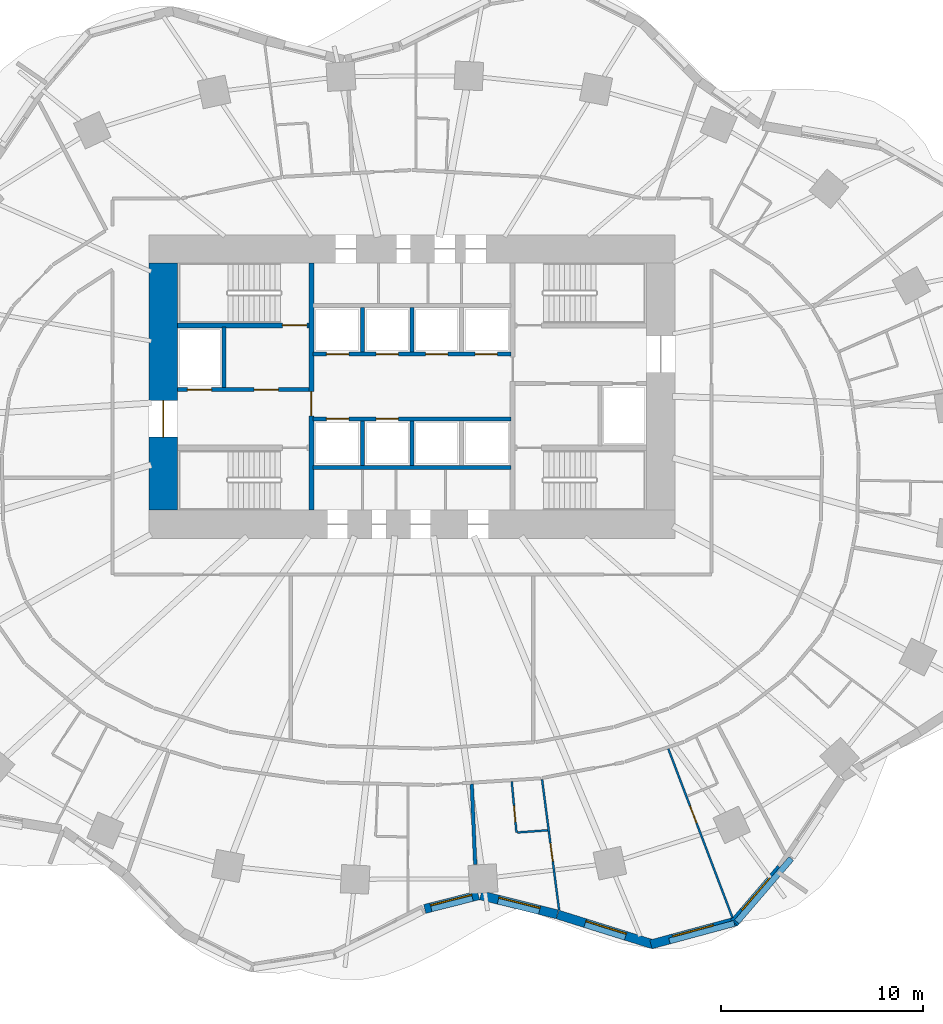
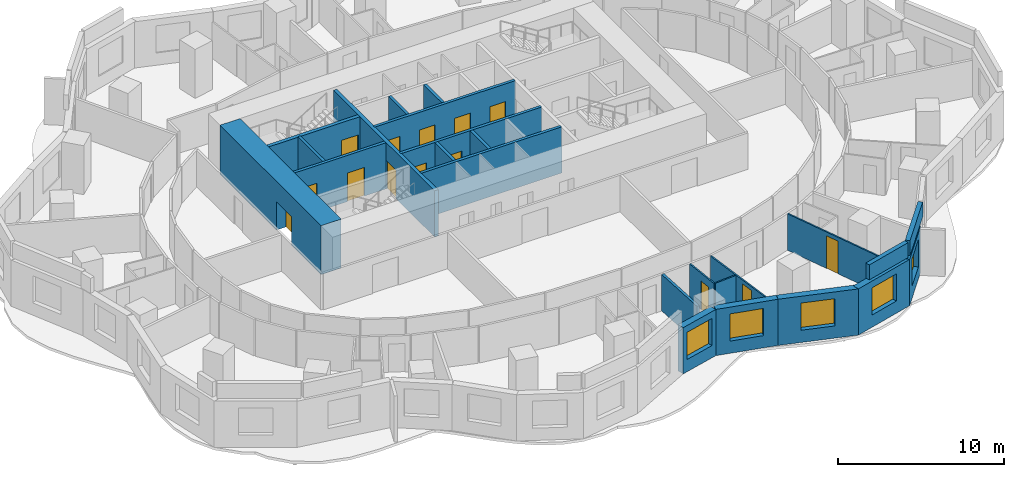
# One storey, part 5 of 11: 24 walls, 14 doors, 5 windows, 19 openings.
"""IFC4 building model written with IfcOpenShell, lengths in metres."""

from ifc_helpers import new_model, si_unit, direction, frame, frame_2d, origin, place, context, subcontext, project, spatial, rectangle, extrude, material, layer, layer_set, type_object, element, fill, save


model = new_model("IFC4")

# Units and contexts
model_context = context("Model", 3, precision=1e-05, world=origin(), true_north=direction((0.0, 1.0)))
body_context = subcontext(model_context, "Body", "Model", "MODEL_VIEW")
ifc_project = project(units=[si_unit("LENGTHUNIT", "METRE"), si_unit("AREAUNIT", "SQUARE_METRE"), si_unit("VOLUMEUNIT", "CUBIC_METRE"), si_unit("PLANEANGLEUNIT", "RADIAN"), si_unit("MASSUNIT", "GRAM", prefix="KILO")], contexts=[model_context])

# Site, building, storey
site_placement = place(None, origin())
site = spatial("IfcSite", under=ifc_project, at=site_placement, CompositionType="ELEMENT")
building_placement = place(site_placement, origin())
building = spatial("IfcBuilding", under=site, at=building_placement, Name="Rubra Terraces Tower", CompositionType="ELEMENT")
storey_placement = place(building_placement, frame((0.0, 0.0, 66.300048828125)))
storey = spatial("IfcBuildingStorey", under=building, at=storey_placement, Name="L14", CompositionType="ELEMENT", Elevation=66.300048828125)

# Wall
ifc_material_1 = material(Name="Twin plasterboard on staggered steel stud, acoustic mineral wool", Category="steel")
ifc_layer_1 = layer(ifc_material_1, 0.175048828125)
ifc_layer_set_1 = layer_set([ifc_layer_1], Name="Twin plasterboard on staggered steel stud, acoustic mineral wool")
wall_type_1 = type_object("IfcWallType", Name="ACOUSTIC PARTY WALL 175", PredefinedType="PARTITIONING", material=ifc_layer_set_1)
wall_1_placement = place(storey_placement, frame((3.12451171875, -19.126953125, 0.0), z_axis=(0.0, 0.0, 1.0), x_axis=(-0.042225344391, 0.999108112414, 0.0)))
element("IfcWall", 1, at=wall_1_placement, inside=storey, type_object=wall_type_1, Name="PARTITION", PredefinedType="PARTITIONING", context=body_context, shape_type="SweptSolid", body=[
    extrude(rectangle(XDim=3.97802734375, YDim=0.175048828125, at=frame_2d((1.989013671875, 0.0))), origin(), (0.0, 0.0, 1.0), 2.679931640625),
])

# Wall, opening, window
ifc_material_2 = material(Name="Brick masonry red-brown", Category="masonry")
ifc_layer_2 = layer(ifc_material_2, 0.449951171875)
ifc_layer_set_2 = layer_set([ifc_layer_2], Name="Brick masonry red-brown")
wall_type_2 = type_object("IfcWallType", Name="Brick facade wall 450", PredefinedType="SOLIDWALL", material=ifc_layer_set_2)
wall_2_placement = place(storey_placement, frame((0.62841796875, -21.318603515625, 0.0), z_axis=(0.0, 0.0, 1.0), x_axis=(0.969240543873, 0.246115355295, 0.0)))
wall_2 = element("IfcWall", 2, at=wall_2_placement, inside=storey, type_object=wall_type_2, Name="Facade wall L14 bay 31", PredefinedType="SOLIDWALL", context=body_context, shape_type="SweptSolid", body=[
    extrude(rectangle(XDim=2.742919921875, YDim=0.449951171875, at=frame_2d((1.37158203125, 0.0))), origin(), (0.0, 0.0, 1.0), 3.39990234375),
])
opening_1_placement = place(wall_2_placement, frame((0.3212890625, 0.0, 0.89990234375)))
opening_1 = element("IfcOpeningElement", 3, at=opening_1_placement, cuts=wall_2, Name="Opening W1", PredefinedType="OPENING", context=body_context, shape_type="SweptSolid", body=[
    extrude(rectangle(XDim=2.10009765625, YDim=2.0, at=frame_2d((1.050048828125, 1.0))), frame((0.0, 0.23486328125, 0.0), z_axis=(0.0, -1.0, 0.0), x_axis=(1.0, 0.0, 0.0)), (0.0, 0.0, 1.0), 0.469970703125),
])
ifc_material_3 = material(Name="Clear glass in aluminium frame", Category="aluminium")
window_type = type_object("IfcWindowType", Name="Fixed deep-set window 2100 x 2000", PartitioningType="SINGLE_PANEL", PredefinedType="WINDOW", material=ifc_material_3)
window_1_placement = place(opening_1_placement, origin())
window_1 = element("IfcWindow", 4, at=window_1_placement, inside=storey, type_object=window_type, Name="Window L14 bay 31", OverallHeight=2.0, OverallWidth=2.10009765625, PartitioningType="SINGLE_PANEL", PredefinedType="WINDOW", context=body_context, shape_type="SweptSolid", body=[
    extrude(rectangle(XDim=2.10009765625, YDim=2.0, at=frame_2d((1.050048828125, 1.0))), frame((0.0, 0.135009765625, 0.0), z_axis=(0.0, -1.0, 0.0), x_axis=(1.0, 0.0, 0.0)), (0.0, 0.0, 1.0), 0.06005859375),
])
fill(opening_1, window_1)

wall_3_placement = place(storey_placement, frame((3.39208984375, -20.64208984375, 0.0), z_axis=(0.0, 0.0, 1.0), x_axis=(0.970168229467, -0.242432684539, 0.0)))
wall_3 = element("IfcWall", 5, at=wall_3_placement, inside=storey, type_object=wall_type_2, Name="Facade wall L14 bay 32", PredefinedType="SOLIDWALL", context=body_context, shape_type="SweptSolid", body=[
    extrude(rectangle(XDim=3.90625, YDim=0.449951171875, at=frame_2d((1.953125, 0.0))), origin(), (0.0, 0.0, 1.0), 3.39990234375),
])
opening_2_placement = place(wall_3_placement, frame((0.9033203125, 0.0, 0.89990234375)))
opening_2 = element("IfcOpeningElement", 6, at=opening_2_placement, cuts=wall_3, Name="Opening W1", PredefinedType="OPENING", context=body_context, shape_type="SweptSolid", body=[
    extrude(rectangle(XDim=2.10009765625, YDim=2.0, at=frame_2d((1.050048828125, 1.0))), frame((0.0, 0.23486328125, 0.0), z_axis=(0.0, -1.0, 0.0), x_axis=(1.0, 0.0, 0.0)), (0.0, 0.0, 1.0), 0.469970703125),
])
window_2_placement = place(opening_2_placement, origin())
window_2 = element("IfcWindow", 7, at=window_2_placement, inside=storey, type_object=window_type, Name="Window L14 bay 32", OverallHeight=2.0, OverallWidth=2.10009765625, PartitioningType="SINGLE_PANEL", PredefinedType="WINDOW", context=body_context, shape_type="SweptSolid", body=[
    extrude(rectangle(XDim=2.10009765625, YDim=2.0, at=frame_2d((1.050048828125, 1.0))), frame((0.0, 0.135009765625, 0.0), z_axis=(0.0, -1.0, 0.0), x_axis=(1.0, 0.0, 0.0)), (0.0, 0.0, 1.0), 0.06005859375),
])
fill(opening_2, window_2)

wall_4_placement = place(storey_placement, frame((7.195556640625, -21.592529296875, 0.0), z_axis=(0.0, 0.0, 1.0), x_axis=(0.954471218741, -0.298303021432, 0.0)))
wall_4 = element("IfcWall", 8, at=wall_4_placement, inside=storey, type_object=wall_type_2, Name="Facade wall L14 bay 33", PredefinedType="SOLIDWALL", context=body_context, shape_type="SweptSolid", body=[
    extrude(rectangle(XDim=4.959716796875, YDim=0.449951171875, at=frame_2d((2.47998046875, 0.0))), origin(), (0.0, 0.0, 1.0), 3.39990234375),
])
opening_3_placement = place(wall_4_placement, frame((1.4296875, 0.0, 0.89990234375)))
opening_3 = element("IfcOpeningElement", 9, at=opening_3_placement, cuts=wall_4, Name="Opening W1", PredefinedType="OPENING", context=body_context, shape_type="SweptSolid", body=[
    extrude(rectangle(XDim=2.10009765625, YDim=2.0, at=frame_2d((1.050048828125, 1.0))), frame((0.0, 0.23486328125, 0.0), z_axis=(0.0, -1.0, 0.0), x_axis=(1.0, 0.0, 0.0)), (0.0, 0.0, 1.0), 0.469970703125),
])
window_3_placement = place(opening_3_placement, origin())
window_3 = element("IfcWindow", 10, at=window_3_placement, inside=storey, type_object=window_type, Name="Window L14 bay 33", OverallHeight=2.0, OverallWidth=2.10009765625, PartitioningType="SINGLE_PANEL", PredefinedType="WINDOW", context=body_context, shape_type="SweptSolid", body=[
    extrude(rectangle(XDim=2.10009765625, YDim=2.0, at=frame_2d((1.050048828125, 1.0))), frame((0.0, 0.135009765625, 0.0), z_axis=(0.0, -1.0, 0.0), x_axis=(1.0, 0.0, 0.0)), (0.0, 0.0, 1.0), 0.06005859375),
])
fill(opening_3, window_3)

wall_5_placement = place(storey_placement, frame((11.807373046875, -23.07080078125, 0.0), z_axis=(0.0, 0.0, 1.0), x_axis=(0.965334520334, 0.261015830653, 0.0)))
wall_5 = element("IfcWall", 11, at=wall_5_placement, inside=storey, type_object=wall_type_2, Name="Facade wall L14 bay 34", PredefinedType="SOLIDWALL", context=body_context, shape_type="SweptSolid", body=[
    extrude(rectangle(XDim=4.37548828125, YDim=0.449951171875, at=frame_2d((2.187744140625, 0.0))), origin(), (0.0, 0.0, 1.0), 3.39990234375),
])
opening_4_placement = place(wall_5_placement, frame((1.1376953125, 0.0, 0.89990234375)))
opening_4 = element("IfcOpeningElement", 12, at=opening_4_placement, cuts=wall_5, Name="Opening W1", PredefinedType="OPENING", context=body_context, shape_type="SweptSolid", body=[
    extrude(rectangle(XDim=2.10009765625, YDim=2.0, at=frame_2d((1.050048828125, 1.0))), frame((0.0, 0.23486328125, 0.0), z_axis=(0.0, -1.0, 0.0), x_axis=(1.0, 0.0, 0.0)), (0.0, 0.0, 1.0), 0.469970703125),
])
window_4_placement = place(opening_4_placement, origin())
window_4 = element("IfcWindow", 13, at=window_4_placement, inside=storey, type_object=window_type, Name="Window L14 bay 34", OverallHeight=2.0, OverallWidth=2.10009765625, PartitioningType="SINGLE_PANEL", PredefinedType="WINDOW", context=body_context, shape_type="SweptSolid", body=[
    extrude(rectangle(XDim=2.10009765625, YDim=2.0, at=frame_2d((1.050048828125, 1.0))), frame((0.0, 0.135009765625, 0.0), z_axis=(0.0, -1.0, 0.0), x_axis=(1.0, 0.0, 0.0)), (0.0, 0.0, 1.0), 0.06005859375),
])
fill(opening_4, window_4)

wall_6_placement = place(storey_placement, frame((15.91943359375, -21.999267578125, 0.0), z_axis=(0.0, 0.0, 1.0), x_axis=(0.652009971272, 0.758210391225, 0.0)))
wall_6 = element("IfcWall", 14, at=wall_6_placement, inside=storey, type_object=wall_type_2, Name="Facade wall L14 bay 35", PredefinedType="SOLIDWALL", context=body_context, shape_type="SweptSolid", body=[
    extrude(rectangle(XDim=3.544921875, YDim=0.449951171875, at=frame_2d((1.7724609375, 0.0))), origin(), (0.0, 0.0, 1.0), 3.39990234375),
])
opening_5_placement = place(wall_6_placement, frame((0.722412109375, 0.0, 0.89990234375)))
opening_5 = element("IfcOpeningElement", 15, at=opening_5_placement, cuts=wall_6, Name="Opening W1", PredefinedType="OPENING", context=body_context, shape_type="SweptSolid", body=[
    extrude(rectangle(XDim=2.10009765625, YDim=2.0, at=frame_2d((1.050048828125, 1.0))), frame((0.0, 0.23486328125, 0.0), z_axis=(0.0, -1.0, 0.0), x_axis=(1.0, 0.0, 0.0)), (0.0, 0.0, 1.0), 0.469970703125),
])
window_5_placement = place(opening_5_placement, origin())
window_5 = element("IfcWindow", 16, at=window_5_placement, inside=storey, type_object=window_type, Name="Window L14 bay 35", OverallHeight=2.0, OverallWidth=2.10009765625, PartitioningType="SINGLE_PANEL", PredefinedType="WINDOW", context=body_context, shape_type="SweptSolid", body=[
    extrude(rectangle(XDim=2.10009765625, YDim=2.0, at=frame_2d((1.050048828125, 1.0))), frame((0.0, 0.135009765625, 0.0), z_axis=(0.0, -1.0, 0.0), x_axis=(1.0, 0.0, 0.0)), (0.0, 0.0, 1.0), 0.06005859375),
])
fill(opening_5, window_5)

# Walls
ifc_layer_3 = layer(ifc_material_2, 0.300048828125)
ifc_layer_set_3 = layer_set([ifc_layer_3], Name="Brick masonry red-brown")
wall_type_3 = type_object("IfcWallType", Name="Brick parapet 300", PredefinedType="PARAPET", material=ifc_layer_set_3)
wall_7_placement = place(storey_placement, frame((12.722412109375, -22.901123046875, 3.599853515625), z_axis=(0.0, 0.0, 1.0), x_axis=(0.96534590031, 0.260973739589, 0.0)))
element("IfcWall", 17, at=wall_7_placement, inside=storey, type_object=wall_type_3, Name="Parapet L14 bay 34", PredefinedType="PARAPET", context=body_context, shape_type="SweptSolid", body=[
    extrude(rectangle(XDim=3.32568359375, YDim=0.300048828125, at=frame_2d((1.662841796875, 0.0))), origin(), (0.0, 0.0, 1.0), 1.10009765625),
])
wall_8_placement = place(storey_placement, frame((16.055908203125, -21.95556640625, 3.599853515625), z_axis=(0.0, 0.0, 1.0), x_axis=(0.652038588201, 0.75818578165, 0.0)))
element("IfcWall", 18, at=wall_8_placement, inside=storey, type_object=wall_type_3, Name="Parapet L14 bay 35", PredefinedType="PARAPET", context=body_context, shape_type="SweptSolid", body=[
    extrude(rectangle(XDim=4.1240234375, YDim=0.300048828125, at=frame_2d((2.06201171875, 0.0))), origin(), (0.0, 0.0, 1.0), 1.10009765625),
])

# Wall, opening, door
ifc_material_4 = material(Name="Concrete C70", Category="concrete")
ifc_layer_4 = layer(ifc_material_4, 1.39990234375)
ifc_layer_set_4 = layer_set([ifc_layer_4], Name="Concrete C70")
wall_type_4 = type_object("IfcWallType", Name="CORE WALL 1400 C70", PredefinedType="SHEAR", material=ifc_layer_set_4)
wall_9_placement = place(storey_placement, frame((-12.300048828125, -1.60009765625, 0.0), z_axis=(0.0, 0.0, 1.0), x_axis=(0.0, 1.0, 0.0)))
wall_9 = element("IfcWall", 19, at=wall_9_placement, inside=storey, type_object=wall_type_4, Name="CORE WALL W L14", PredefinedType="SHEAR", context=body_context, shape_type="SweptSolid", body=[
    extrude(rectangle(XDim=12.2001953125, YDim=1.39990234375, at=frame_2d((6.10009765625, 0.0))), origin(), (0.0, 0.0, 1.0), 3.599853515625),
])
opening_6_placement = place(wall_9_placement, frame((3.60009765625, 0.0, 0.0)))
opening_6 = element("IfcOpeningElement", 20, at=opening_6_placement, cuts=wall_9, Name="Opening L14.C01", PredefinedType="OPENING", context=body_context, shape_type="SweptSolid", body=[
    extrude(rectangle(XDim=1.800048828125, YDim=2.10009765625, at=frame_2d((0.89990234375, 1.050048828125))), frame((0.0, 0.7099609375, 0.0), z_axis=(0.0, -1.0, 0.0), x_axis=(1.0, 0.0, 0.0)), (0.0, 0.0, 1.0), 1.419921875),
])
ifc_material_5 = material(Name="Painted steel", Category="steel")
door_type_1 = type_object("IfcDoorType", Name="Fire door 1800x2100 double", OperationType="NOTDEFINED", PredefinedType="DOOR", material=ifc_material_5)
door_1_placement = place(opening_6_placement, origin())
door_1 = element("IfcDoor", 21, at=door_1_placement, inside=storey, type_object=door_type_1, Name="Core entrance door FF1", OperationType="DOUBLE_DOOR_SINGLE_SWING", OverallHeight=2.10009765625, OverallWidth=1.800048828125, PredefinedType="DOOR", context=body_context, shape_type="SweptSolid", body=[
    extrude(rectangle(XDim=1.800048828125, YDim=2.10009765625, at=frame_2d((0.89990234375, 1.050048828125))), frame((0.0, 0.02490234375, 0.0), z_axis=(0.0, -1.0, 0.0), x_axis=(1.0, 0.0, 0.0)), (0.0, 0.0, 1.0), 0.050048828125),
])
fill(opening_6, door_1)

# Wall, openings, doors
ifc_material_6 = material(Name="Concrete C30", Category="concrete")
ifc_layer_5 = layer(ifc_material_6, 0.199951171875)
ifc_layer_set_5 = layer_set([ifc_layer_5], Name="Concrete C30")
wall_type_5 = type_object("IfcWallType", Name="Core wall 200 concrete", PredefinedType="SOLIDWALL", material=ifc_layer_set_5)
wall_10_placement = place(storey_placement, frame((-11.60009765625, 4.35009765625, 0.0), z_axis=(0.0, 0.0, 1.0), x_axis=(1.0, 0.0, 0.0)))
wall_10 = element("IfcWall", 22, at=wall_10_placement, inside=storey, type_object=wall_type_5, Name="STAIR WALL L14", PredefinedType="SOLIDWALL", context=body_context, shape_type="SweptSolid", body=[
    extrude(rectangle(XDim=6.5, YDim=0.199951171875, at=frame_2d((3.25, 0.0))), origin(), (0.0, 0.0, 1.0), 3.39990234375),
])
opening_7_placement = place(wall_10_placement, frame((3.800048828125, 0.0, 0.0)))
opening_7 = element("IfcOpeningElement", 23, at=opening_7_placement, cuts=wall_10, Name="Opening L14.C05", PredefinedType="OPENING", context=body_context, shape_type="SweptSolid", body=[
    extrude(rectangle(XDim=1.199951171875, YDim=2.10009765625, at=frame_2d((0.60009765625, 1.050048828125))), frame((0.0, 0.10986328125, 0.0), z_axis=(0.0, -1.0, 0.0), x_axis=(1.0, 0.0, 0.0)), (0.0, 0.0, 1.0), 0.219970703125),
])
opening_8_placement = place(wall_10_placement, frame((0.5, 0.0, 0.0)))
opening_8 = element("IfcOpeningElement", 24, at=opening_8_placement, cuts=wall_10, Name="Opening L14.C11", PredefinedType="OPENING", context=body_context, shape_type="SweptSolid", body=[
    extrude(rectangle(XDim=1.199951171875, YDim=2.10009765625, at=frame_2d((0.60009765625, 1.050048828125))), frame((0.0, 0.10986328125, 0.0), z_axis=(0.0, -1.0, 0.0), x_axis=(1.0, 0.0, 0.0)), (0.0, 0.0, 1.0), 0.219970703125),
])
door_type_2 = type_object("IfcDoorType", Name="Fire door 1200x2100 single", OperationType="NOTDEFINED", PredefinedType="DOOR", material=ifc_material_5)
door_2_placement = place(opening_7_placement, origin())
door_2 = element("IfcDoor", 25, at=door_2_placement, inside=storey, type_object=door_type_2, Name="Stair vestibule door S2", OperationType="SINGLE_SWING_LEFT", OverallHeight=2.10009765625, OverallWidth=1.199951171875, PredefinedType="DOOR", context=body_context, shape_type="SweptSolid", body=[
    extrude(rectangle(XDim=1.199951171875, YDim=2.10009765625, at=frame_2d((0.60009765625, 1.050048828125))), frame((0.0, 0.02490234375, 0.0), z_axis=(0.0, -1.0, 0.0), x_axis=(1.0, 0.0, 0.0)), (0.0, 0.0, 1.0), 0.050048828125),
])
fill(opening_7, door_2)
ifc_material_7 = material(Name="Stainless steel", Category="steel")
door_type_3 = type_object("IfcDoorType", Name="Lift landing door 1200x2100", OperationType="NOTDEFINED", PredefinedType="DOOR", material=ifc_material_7)
door_3_placement = place(opening_8_placement, origin())
door_3 = element("IfcDoor", 26, at=door_3_placement, inside=storey, type_object=door_type_3, Name="Landing door FF1", OperationType="SLIDING_TO_RIGHT", OverallHeight=2.10009765625, OverallWidth=1.199951171875, PredefinedType="DOOR", context=body_context, shape_type="SweptSolid", body=[
    extrude(rectangle(XDim=1.199951171875, YDim=2.10009765625, at=frame_2d((0.60009765625, 1.050048828125))), frame((0.0, 0.02490234375, 0.0), z_axis=(0.0, -1.0, 0.0), x_axis=(1.0, 0.0, 0.0)), (0.0, 0.0, 1.0), 0.050048828125),
])
fill(opening_8, door_3)

# Walls
wall_11_placement = place(storey_placement, frame((-9.300048828125, 4.449951171875, 0.0), z_axis=(0.0, 0.0, 1.0), x_axis=(0.0, 1.0, 0.0)))
element("IfcWall", 27, at=wall_11_placement, inside=storey, type_object=wall_type_5, Name="STAIR WALL L14", PredefinedType="SOLIDWALL", context=body_context, shape_type="SweptSolid", body=[
    extrude(rectangle(XDim=3.0, YDim=0.199951171875, at=frame_2d((1.5, 0.0))), origin(), (0.0, 0.0, 1.0), 3.39990234375),
])
wall_12_placement = place(storey_placement, frame((-4.89990234375, 0.5, 0.0), z_axis=(0.0, 0.0, 1.0), x_axis=(1.0, 0.0, 0.0)))
element("IfcWall", 28, at=wall_12_placement, inside=storey, type_object=wall_type_5, Name="LIFT SHAFT WALL L14", PredefinedType="SOLIDWALL", context=body_context, shape_type="SweptSolid", body=[
    extrude(rectangle(XDim=9.7998046875, YDim=0.199951171875, at=frame_2d((4.89990234375, 0.0))), origin(), (0.0, 0.0, 1.0), 3.39990234375),
])

# Wall, openings, doors
wall_13_placement = place(storey_placement, frame((-4.89990234375, 2.89990234375, 0.0), z_axis=(0.0, 0.0, 1.0), x_axis=(1.0, 0.0, 0.0)))
wall_13 = element("IfcWall", 29, at=wall_13_placement, inside=storey, type_object=wall_type_5, Name="LIFT SHAFT WALL L14", PredefinedType="SOLIDWALL", context=body_context, shape_type="SweptSolid", body=[
    extrude(rectangle(XDim=9.7998046875, YDim=0.199951171875, at=frame_2d((4.89990234375, 0.0))), origin(), (0.0, 0.0, 1.0), 3.39990234375),
])
opening_9_placement = place(wall_13_placement, frame((0.675048828125, 0.0, 0.0)))
opening_9 = element("IfcOpeningElement", 30, at=opening_9_placement, cuts=wall_13, Name="Opening L14.C13", PredefinedType="OPENING", context=body_context, shape_type="SweptSolid", body=[
    extrude(rectangle(XDim=1.10009765625, YDim=2.10009765625, at=frame_2d((0.550048828125, 1.050048828125))), frame((0.0, 0.10986328125, 0.0), z_axis=(0.0, -1.0, 0.0), x_axis=(1.0, 0.0, 0.0)), (0.0, 0.0, 1.0), 0.219970703125),
])
opening_10_placement = place(wall_13_placement, frame((3.125, 0.0, 0.0)))
opening_10 = element("IfcOpeningElement", 31, at=opening_10_placement, cuts=wall_13, Name="Opening L14.C14", PredefinedType="OPENING", context=body_context, shape_type="SweptSolid", body=[
    extrude(rectangle(XDim=1.10009765625, YDim=2.10009765625, at=frame_2d((0.550048828125, 1.050048828125))), frame((0.0, 0.10986328125, 0.0), z_axis=(0.0, -1.0, 0.0), x_axis=(1.0, 0.0, 0.0)), (0.0, 0.0, 1.0), 0.219970703125),
])
door_type_4 = type_object("IfcDoorType", Name="Lift landing door 1100x2100", OperationType="NOTDEFINED", PredefinedType="DOOR", material=ifc_material_7)
door_4_placement = place(opening_9_placement, origin())
door_4 = element("IfcDoor", 32, at=door_4_placement, inside=storey, type_object=door_type_4, Name="Landing door LB1", OperationType="SLIDING_TO_RIGHT", OverallHeight=2.10009765625, OverallWidth=1.10009765625, PredefinedType="DOOR", context=body_context, shape_type="SweptSolid", body=[
    extrude(rectangle(XDim=1.10009765625, YDim=2.10009765625, at=frame_2d((0.550048828125, 1.050048828125))), frame((0.0, 0.02490234375, 0.0), z_axis=(0.0, -1.0, 0.0), x_axis=(1.0, 0.0, 0.0)), (0.0, 0.0, 1.0), 0.050048828125),
])
fill(opening_9, door_4)
door_5_placement = place(opening_10_placement, origin())
door_5 = element("IfcDoor", 33, at=door_5_placement, inside=storey, type_object=door_type_4, Name="Landing door LB2", OperationType="SLIDING_TO_LEFT", OverallHeight=2.10009765625, OverallWidth=1.10009765625, PredefinedType="DOOR", context=body_context, shape_type="SweptSolid", body=[
    extrude(rectangle(XDim=1.10009765625, YDim=2.10009765625, at=frame_2d((0.550048828125, 1.050048828125))), frame((0.0, 0.02490234375, 0.0), z_axis=(0.0, -1.0, 0.0), x_axis=(1.0, 0.0, 0.0)), (0.0, 0.0, 1.0), 0.050048828125),
])
fill(opening_10, door_5)

wall_14_placement = place(storey_placement, frame((-4.89990234375, 6.10009765625, 0.0), z_axis=(0.0, 0.0, 1.0), x_axis=(1.0, 0.0, 0.0)))
wall_14 = element("IfcWall", 34, at=wall_14_placement, inside=storey, type_object=wall_type_5, Name="LIFT SHAFT WALL L14", PredefinedType="SOLIDWALL", context=body_context, shape_type="SweptSolid", body=[
    extrude(rectangle(XDim=9.7998046875, YDim=0.199951171875, at=frame_2d((4.89990234375, 0.0))), origin(), (0.0, 0.0, 1.0), 3.39990234375),
])
opening_11_placement = place(wall_14_placement, frame((0.675048828125, 0.0, 0.0)))
opening_11 = element("IfcOpeningElement", 35, at=opening_11_placement, cuts=wall_14, Name="Opening L14.C15", PredefinedType="OPENING", context=body_context, shape_type="SweptSolid", body=[
    extrude(rectangle(XDim=1.10009765625, YDim=2.10009765625, at=frame_2d((0.550048828125, 1.050048828125))), frame((0.0, 0.10986328125, 0.0), z_axis=(0.0, -1.0, 0.0), x_axis=(1.0, 0.0, 0.0)), (0.0, 0.0, 1.0), 0.219970703125),
])
opening_12_placement = place(wall_14_placement, frame((3.125, 0.0, 0.0)))
opening_12 = element("IfcOpeningElement", 36, at=opening_12_placement, cuts=wall_14, Name="Opening L14.C16", PredefinedType="OPENING", context=body_context, shape_type="SweptSolid", body=[
    extrude(rectangle(XDim=1.10009765625, YDim=2.10009765625, at=frame_2d((0.550048828125, 1.050048828125))), frame((0.0, 0.10986328125, 0.0), z_axis=(0.0, -1.0, 0.0), x_axis=(1.0, 0.0, 0.0)), (0.0, 0.0, 1.0), 0.219970703125),
])
opening_13_placement = place(wall_14_placement, frame((5.574951171875, 0.0, 0.0)))
opening_13 = element("IfcOpeningElement", 37, at=opening_13_placement, cuts=wall_14, Name="Opening L14.C17", PredefinedType="OPENING", context=body_context, shape_type="SweptSolid", body=[
    extrude(rectangle(XDim=1.10009765625, YDim=2.10009765625, at=frame_2d((0.550048828125, 1.050048828125))), frame((0.0, 0.10986328125, 0.0), z_axis=(0.0, -1.0, 0.0), x_axis=(1.0, 0.0, 0.0)), (0.0, 0.0, 1.0), 0.219970703125),
])
opening_14_placement = place(wall_14_placement, frame((8.02490234375, 0.0, 0.0)))
opening_14 = element("IfcOpeningElement", 38, at=opening_14_placement, cuts=wall_14, Name="Opening L14.C18", PredefinedType="OPENING", context=body_context, shape_type="SweptSolid", body=[
    extrude(rectangle(XDim=1.10009765625, YDim=2.10009765625, at=frame_2d((0.550048828125, 1.050048828125))), frame((0.0, 0.10986328125, 0.0), z_axis=(0.0, -1.0, 0.0), x_axis=(1.0, 0.0, 0.0)), (0.0, 0.0, 1.0), 0.219970703125),
])
door_6_placement = place(opening_11_placement, origin())
door_6 = element("IfcDoor", 39, at=door_6_placement, inside=storey, type_object=door_type_4, Name="Landing door LB3", OperationType="SLIDING_TO_RIGHT", OverallHeight=2.10009765625, OverallWidth=1.10009765625, PredefinedType="DOOR", context=body_context, shape_type="SweptSolid", body=[
    extrude(rectangle(XDim=1.10009765625, YDim=2.10009765625, at=frame_2d((0.550048828125, 1.050048828125))), frame((0.0, 0.02490234375, 0.0), z_axis=(0.0, -1.0, 0.0), x_axis=(1.0, 0.0, 0.0)), (0.0, 0.0, 1.0), 0.050048828125),
])
fill(opening_11, door_6)
door_7_placement = place(opening_12_placement, origin())
door_7 = element("IfcDoor", 40, at=door_7_placement, inside=storey, type_object=door_type_4, Name="Landing door LB4", OperationType="SLIDING_TO_LEFT", OverallHeight=2.10009765625, OverallWidth=1.10009765625, PredefinedType="DOOR", context=body_context, shape_type="SweptSolid", body=[
    extrude(rectangle(XDim=1.10009765625, YDim=2.10009765625, at=frame_2d((0.550048828125, 1.050048828125))), frame((0.0, 0.02490234375, 0.0), z_axis=(0.0, -1.0, 0.0), x_axis=(1.0, 0.0, 0.0)), (0.0, 0.0, 1.0), 0.050048828125),
])
fill(opening_12, door_7)
door_8_placement = place(opening_13_placement, origin())
door_8 = element("IfcDoor", 41, at=door_8_placement, inside=storey, type_object=door_type_4, Name="Landing door LB5", OperationType="SLIDING_TO_RIGHT", OverallHeight=2.10009765625, OverallWidth=1.10009765625, PredefinedType="DOOR", context=body_context, shape_type="SweptSolid", body=[
    extrude(rectangle(XDim=1.10009765625, YDim=2.10009765625, at=frame_2d((0.550048828125, 1.050048828125))), frame((0.0, 0.02490234375, 0.0), z_axis=(0.0, -1.0, 0.0), x_axis=(1.0, 0.0, 0.0)), (0.0, 0.0, 1.0), 0.050048828125),
])
fill(opening_13, door_8)
door_9_placement = place(opening_14_placement, origin())
door_9 = element("IfcDoor", 42, at=door_9_placement, inside=storey, type_object=door_type_4, Name="Landing door LB6", OperationType="SLIDING_TO_LEFT", OverallHeight=2.10009765625, OverallWidth=1.10009765625, PredefinedType="DOOR", context=body_context, shape_type="SweptSolid", body=[
    extrude(rectangle(XDim=1.10009765625, YDim=2.10009765625, at=frame_2d((0.550048828125, 1.050048828125))), frame((0.0, 0.02490234375, 0.0), z_axis=(0.0, -1.0, 0.0), x_axis=(1.0, 0.0, 0.0)), (0.0, 0.0, 1.0), 0.050048828125),
])
fill(opening_14, door_9)

# Walls
for number, where, z_axis, x_axis, name in (
    (43, (-2.449951171875, 0.60009765625, 0.0), (0.0, 0.0, 1.0), (0.0, 1.0, 0.0), "LIFT SHAFT WALL L14"),
    (44, (0.0, 0.60009765625, 0.0), (0.0, 0.0, 1.0), (0.0, 1.0, 0.0), "LIFT SHAFT WALL L14"),
    (45, (-2.449951171875, 6.199951171875, 0.0), (0.0, 0.0, 1.0), (0.0, 1.0, 0.0), "LIFT SHAFT WALL L14"),
    (46, (0.0, 6.199951171875, 0.0), (0.0, 0.0, 1.0), (0.0, 1.0, 0.0), "LIFT SHAFT WALL L14"),
):
    element("IfcWall", number, at=place(storey_placement, frame(where, z_axis=z_axis, x_axis=x_axis)), inside=storey, type_object=wall_type_5, Name=name, PredefinedType="SOLIDWALL", context=body_context, shape_type="SweptSolid", body=[
        extrude(rectangle(XDim=2.199951171875, YDim=0.199951171875, at=frame_2d((1.10009765625, 0.0))), origin(), (0.0, 0.0, 1.0), 3.39990234375),
    ])

# Wall, opening, door
ifc_material_8 = material(Name="Plasterboard on steel stud", Category="steel")
ifc_layer_6 = layer(ifc_material_8, 0.10009765625)
ifc_layer_set_6 = layer_set([ifc_layer_6], Name="Plasterboard on steel stud")
wall_type_6 = type_object("IfcWallType", Name="ROOM PARTITION 100", PredefinedType="PARTITIONING", material=ifc_layer_set_6)
wall_15_placement = place(storey_placement, frame((7.27294921875, -21.381103515625, 0.0), z_axis=(0.0, 0.0, 1.0), x_axis=(-0.129491443272, 0.991580539401, 0.0)))
wall_15 = element("IfcWall", 47, at=wall_15_placement, inside=storey, type_object=wall_type_6, Name="PARTITION", PredefinedType="PARTITIONING", context=body_context, shape_type="SweptSolid", body=[
    extrude(rectangle(XDim=6.51220703125, YDim=0.10009765625, at=frame_2d((3.256103515625, 0.0))), origin(), (0.0, 0.0, 1.0), 2.679931640625),
])
opening_15_placement = place(wall_15_placement, frame((2.43701171875, 0.0, 0.0)))
opening_15 = element("IfcOpeningElement", 48, at=opening_15_placement, cuts=wall_15, Name="Opening 14-122", PredefinedType="OPENING", context=body_context, shape_type="SweptSolid", body=[
    extrude(rectangle(XDim=0.89990234375, YDim=2.39990234375, at=frame_2d((0.449951171875, 1.199951171875))), frame((0.0, 0.06005859375, 0.0), z_axis=(0.0, -1.0, 0.0), x_axis=(1.0, 0.0, 0.0)), (0.0, 0.0, 1.0), 0.1201171875),
])
ifc_material_9 = material(Name="Veneered timber door leaf, fire-rated", Category="wood")
door_type_5 = type_object("IfcDoorType", Name="SUITE ENTRANCE DOOR 900 X 2400", OperationType="SINGLE_SWING_LEFT", PredefinedType="DOOR", material=ifc_material_9)
door_10_placement = place(opening_15_placement, origin())
door_10 = element("IfcDoor", 49, at=door_10_placement, inside=storey, type_object=door_type_5, Name="DOOR 14-122", OperationType="SINGLE_SWING_LEFT", OverallHeight=2.39990234375, OverallWidth=0.89990234375, PredefinedType="DOOR", context=body_context, shape_type="SweptSolid", body=[
    extrude(rectangle(XDim=0.89990234375, YDim=2.39990234375, at=frame_2d((0.449951171875, 1.199951171875))), frame((0.0, 0.02490234375, 0.0), z_axis=(0.0, -1.0, 0.0), x_axis=(1.0, 0.0, 0.0)), (0.0, 0.0, 1.0), 0.050048828125),
])
fill(opening_15, door_10)

wall_16_placement = place(storey_placement, frame((15.83740234375, -21.743408203125, 0.0), z_axis=(0.0, 0.0, 1.0), x_axis=(-0.355314828952, 0.934746688856, 0.0)))
wall_16 = element("IfcWall", 50, at=wall_16_placement, inside=storey, type_object=wall_type_6, Name="PARTITION", PredefinedType="PARTITIONING", context=body_context, shape_type="SweptSolid", body=[
    extrude(rectangle(XDim=8.9228515625, YDim=0.10009765625, at=frame_2d((4.46142578125, 0.0))), origin(), (0.0, 0.0, 1.0), 2.679931640625),
])
opening_16_placement = place(wall_16_placement, frame((5.0, 0.0, 0.0)))
opening_16 = element("IfcOpeningElement", 51, at=opening_16_placement, cuts=wall_16, Name="Opening 14-123", PredefinedType="OPENING", context=body_context, shape_type="SweptSolid", body=[
    extrude(rectangle(XDim=0.89990234375, YDim=2.39990234375, at=frame_2d((0.449951171875, 1.199951171875))), frame((0.0, 0.06005859375, 0.0), z_axis=(0.0, -1.0, 0.0), x_axis=(1.0, 0.0, 0.0)), (0.0, 0.0, 1.0), 0.1201171875),
])
door_11_placement = place(opening_16_placement, origin())
door_11 = element("IfcDoor", 52, at=door_11_placement, inside=storey, type_object=door_type_5, Name="DOOR 14-123", OperationType="SINGLE_SWING_LEFT", OverallHeight=2.39990234375, OverallWidth=0.89990234375, PredefinedType="DOOR", context=body_context, shape_type="SweptSolid", body=[
    extrude(rectangle(XDim=0.89990234375, YDim=2.39990234375, at=frame_2d((0.449951171875, 1.199951171875))), frame((0.0, 0.02490234375, 0.0), z_axis=(0.0, -1.0, 0.0), x_axis=(1.0, 0.0, 0.0)), (0.0, 0.0, 1.0), 0.050048828125),
])
fill(opening_16, door_11)

wall_17_placement = place(storey_placement, frame((4.930908203125, -15.02734375, 0.0), z_axis=(0.0, 0.0, 1.0), x_axis=(0.091956750327, -0.995763001958, 0.0)))
wall_17 = element("IfcWall", 53, at=wall_17_placement, inside=storey, type_object=wall_type_6, Name="PARTITION", PredefinedType="PARTITIONING", context=body_context, shape_type="SweptSolid", body=[
    extrude(rectangle(XDim=2.52490234375, YDim=0.10009765625, at=frame_2d((1.262451171875, 0.0))), origin(), (0.0, 0.0, 1.0), 2.679931640625),
])
opening_17_placement = place(wall_17_placement, frame((1.199951171875, 0.0, 0.0)))
opening_17 = element("IfcOpeningElement", 54, at=opening_17_placement, cuts=wall_17, Name="Opening 14-120", PredefinedType="OPENING", context=body_context, shape_type="SweptSolid", body=[
    extrude(rectangle(XDim=0.800048828125, YDim=2.10009765625, at=frame_2d((0.39990234375, 1.050048828125))), frame((0.0, 0.06005859375, 0.0), z_axis=(0.0, -1.0, 0.0), x_axis=(1.0, 0.0, 0.0)), (0.0, 0.0, 1.0), 0.1201171875),
])
ifc_material_10 = material(Name="Painted timber door leaf", Category="wood")
door_type_6 = type_object("IfcDoorType", Name="BATHROOM DOOR 800 X 2100", OperationType="SINGLE_SWING_LEFT", PredefinedType="DOOR", material=ifc_material_10)
door_12_placement = place(opening_17_placement, origin())
door_12 = element("IfcDoor", 55, at=door_12_placement, inside=storey, type_object=door_type_6, Name="DOOR 14-120", OperationType="SINGLE_SWING_LEFT", OverallHeight=2.10009765625, OverallWidth=0.800048828125, PredefinedType="DOOR", context=body_context, shape_type="SweptSolid", body=[
    extrude(rectangle(XDim=0.800048828125, YDim=2.10009765625, at=frame_2d((0.39990234375, 1.050048828125))), frame((0.0, 0.02490234375, 0.0), z_axis=(0.0, -1.0, 0.0), x_axis=(1.0, 0.0, 0.0)), (0.0, 0.0, 1.0), 0.050048828125),
])
fill(opening_17, door_12)

# Wall
wall_18_placement = place(storey_placement, frame((5.212890625, -17.5380859375, 0.0), z_axis=(0.0, 0.0, 1.0), x_axis=(0.997447931568, 0.071397645698, 0.0)))
element("IfcWall", 56, at=wall_18_placement, inside=storey, type_object=wall_type_6, Name="PARTITION", PredefinedType="PARTITIONING", context=body_context, shape_type="SweptSolid", body=[
    extrude(rectangle(XDim=1.497802734375, YDim=0.10009765625, at=frame_2d((0.7490234375, 0.0))), origin(), (0.0, 0.0, 1.0), 2.679931640625),
])

# Wall, opening, door
ifc_material_11 = material(Name="Concrete C40", Category="concrete")
ifc_layer_7 = layer(ifc_material_11, 0.25)
ifc_layer_set_7 = layer_set([ifc_layer_7], Name="Concrete C40")
wall_type_7 = type_object("IfcWallType", Name="Stair enclosure wall 250 concrete", PredefinedType="SOLIDWALL", material=ifc_layer_set_7)
wall_19_placement = place(storey_placement, frame((-11.60009765625, 7.52490234375, 0.0), z_axis=(0.0, 0.0, 1.0), x_axis=(1.0, 0.0, 0.0)))
wall_19 = element("IfcWall", 57, at=wall_19_placement, inside=storey, type_object=wall_type_7, Name="STAIR WALL L14", PredefinedType="SOLIDWALL", context=body_context, shape_type="SweptSolid", body=[
    extrude(rectangle(XDim=6.5, YDim=0.25, at=frame_2d((3.25, 0.0))), origin(), (0.0, 0.0, 1.0), 3.39990234375),
])
opening_18_placement = place(wall_19_placement, frame((5.199951171875, 0.0, 0.0)))
opening_18 = element("IfcOpeningElement", 58, at=opening_18_placement, cuts=wall_19, Name="Opening L14.C09", PredefinedType="OPENING", context=body_context, shape_type="SweptSolid", body=[
    extrude(rectangle(XDim=1.199951171875, YDim=2.10009765625, at=frame_2d((0.60009765625, 1.050048828125))), frame((0.0, 0.135009765625, 0.0), z_axis=(0.0, -1.0, 0.0), x_axis=(1.0, 0.0, 0.0)), (0.0, 0.0, 1.0), 0.27001953125),
])
door_13_placement = place(opening_18_placement, origin())
door_13 = element("IfcDoor", 59, at=door_13_placement, inside=storey, type_object=door_type_2, Name="Stair door S2", OperationType="SINGLE_SWING_LEFT", OverallHeight=2.10009765625, OverallWidth=1.199951171875, PredefinedType="DOOR", context=body_context, shape_type="SweptSolid", body=[
    extrude(rectangle(XDim=1.199951171875, YDim=2.10009765625, at=frame_2d((0.60009765625, 1.050048828125))), frame((0.0, 0.02490234375, 0.0), z_axis=(0.0, -1.0, 0.0), x_axis=(1.0, 0.0, 0.0)), (0.0, 0.0, 1.0), 0.050048828125),
])
fill(opening_18, door_13)

wall_20_placement = place(storey_placement, frame((-4.97509765625, -1.60009765625, 0.0), z_axis=(0.0, 0.0, 1.0), x_axis=(0.0, 1.0, 0.0)))
wall_20 = element("IfcWall", 60, at=wall_20_placement, inside=storey, type_object=wall_type_7, Name="CORE LOBBY WALL L14", PredefinedType="SOLIDWALL", context=body_context, shape_type="SweptSolid", body=[
    extrude(rectangle(XDim=12.2001953125, YDim=0.25, at=frame_2d((6.10009765625, 0.0))), origin(), (0.0, 0.0, 1.0), 3.39990234375),
])
opening_19_placement = place(wall_20_placement, frame((4.64990234375, 0.0, 0.0)))
opening_19 = element("IfcOpeningElement", 61, at=opening_19_placement, cuts=wall_20, Name="Opening L14.C03", PredefinedType="OPENING", context=body_context, shape_type="SweptSolid", body=[
    extrude(rectangle(XDim=1.199951171875, YDim=2.10009765625, at=frame_2d((0.60009765625, 1.050048828125))), frame((0.0, 0.135009765625, 0.0), z_axis=(0.0, -1.0, 0.0), x_axis=(1.0, 0.0, 0.0)), (0.0, 0.0, 1.0), 0.27001953125),
])
door_14_placement = place(opening_19_placement, origin())
door_14 = element("IfcDoor", 62, at=door_14_placement, inside=storey, type_object=door_type_2, Name="Firefighting lobby door FF1", OperationType="SINGLE_SWING_LEFT", OverallHeight=2.10009765625, OverallWidth=1.199951171875, PredefinedType="DOOR", context=body_context, shape_type="SweptSolid", body=[
    extrude(rectangle(XDim=1.199951171875, YDim=2.10009765625, at=frame_2d((0.60009765625, 1.050048828125))), frame((0.0, 0.02490234375, 0.0), z_axis=(0.0, -1.0, 0.0), x_axis=(1.0, 0.0, 0.0)), (0.0, 0.0, 1.0), 0.050048828125),
])
fill(opening_19, door_14)

save(model, "model.ifc")
